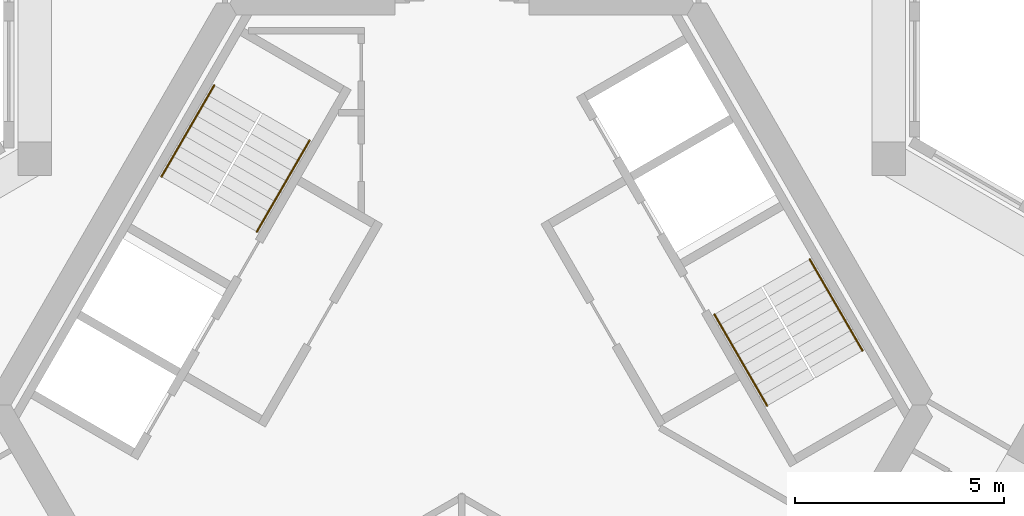
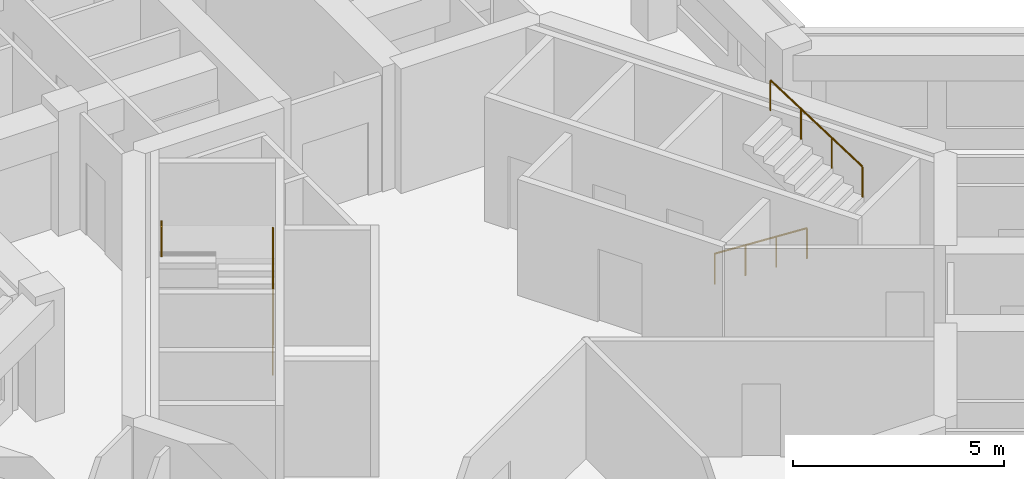
# One storey, part 14 of 14: 4 railings.
"""IFC4 building model written with IfcOpenShell, lengths in metres."""

from ifc_helpers import new_model, si_unit, direction, frame, origin, origin_2d, place, context, subcontext, project, spatial, circle, extrude, material, type_object, element, save


model = new_model("IFC4")

# Units and contexts
model_context = context("Model", 3, precision=1e-05, world=origin(), true_north=direction((0.0, 1.0)))
body_context = subcontext(model_context, "Body", "Model", "MODEL_VIEW")
ifc_project = project(units=[si_unit("LENGTHUNIT", "METRE"), si_unit("AREAUNIT", "SQUARE_METRE"), si_unit("VOLUMEUNIT", "CUBIC_METRE"), si_unit("PLANEANGLEUNIT", "RADIAN"), si_unit("MASSUNIT", "GRAM", prefix="KILO")], contexts=[model_context])

# Site, building, storey
site_placement = place(None, origin())
site = spatial("IfcSite", under=ifc_project, at=site_placement, CompositionType="ELEMENT")
building_placement = place(site_placement, origin())
building = spatial("IfcBuilding", under=site, at=building_placement, Name="Kosmar Iwan School Tower", CompositionType="ELEMENT")
storey_placement = place(building_placement, frame((0.0, 0.0, 274.60009765625)))
storey = spatial("IfcBuildingStorey", under=building, at=storey_placement, Name="L69", CompositionType="ELEMENT", Elevation=274.60009765625)

# Railings
ifc_material = material(Name="Black steel", Category="steel")
railing_type = type_object("IfcRailingType", Name="Stair handrail 900", PredefinedType="HANDRAIL", material=ifc_material)
railing_1_placement = place(storey_placement, frame((-4.89453125, 4.142333984375, 0.179931640625)))
element("IfcRailing", 1, at=railing_1_placement, inside=storey, type_object=railing_type, Name="Handrail ST2 flight 1", PredefinedType="HANDRAIL", context=body_context, shape_type="SweptSolid", body=[
    extrude(circle(Radius=0.02392578125, at=origin_2d()), frame((0.0, 0.0, 0.8759765625), z_axis=(0.42060268101, 0.72849590497, 0.54072830624), x_axis=(-0.866022637375, 0.500004791531, 0.0)), (0.0, 0.0, 1.0), 2.99560546875),
    extrude(circle(Radius=0.02099609375, at=origin_2d()), origin(), (0.0, 0.0, 1.0), 0.851806640625),
    extrude(circle(Radius=0.02099609375, at=origin_2d()), frame((0.419921875, 0.7275390625, 0.5400390625)), (0.0, 0.0, 1.0), 0.851806640625),
    extrude(circle(Radius=0.02099609375, at=origin_2d()), frame((0.840087890625, 1.454833984375, 1.079833984375)), (0.0, 0.0, 1.0), 0.851806640625),
    extrude(circle(Radius=0.02099609375, at=origin_2d()), frame((1.260009765625, 2.182373046875, 1.619873046875)), (0.0, 0.0, 1.0), 0.851806640625),
])
railing_2_placement = place(storey_placement, frame((-5.912353515625, 7.6396484375, 1.97998046875)))
element("IfcRailing", 2, at=railing_2_placement, inside=storey, type_object=railing_type, Name="Handrail ST2 flight 2", PredefinedType="HANDRAIL", context=body_context, shape_type="SweptSolid", body=[
    extrude(circle(Radius=0.02392578125, at=origin_2d()), frame((0.0, 0.0, 0.8759765625), z_axis=(-0.42060268101, -0.72849590497, 0.54072830624), x_axis=(0.866022637375, -0.500004791531, 0.0)), (0.0, 0.0, 1.0), 2.99560546875),
    extrude(circle(Radius=0.02099609375, at=origin_2d()), origin(), (0.0, 0.0, 1.0), 0.851806640625),
    extrude(circle(Radius=0.02099609375, at=origin_2d()), frame((-0.419921875, -0.7275390625, 0.5400390625)), (0.0, 0.0, 1.0), 0.851806640625),
    extrude(circle(Radius=0.02099609375, at=origin_2d()), frame((-0.840087890625, -1.454833984375, 1.079833984375)), (0.0, 0.0, 1.0), 0.851806640625),
    extrude(circle(Radius=0.02099609375, at=origin_2d()), frame((-1.260009765625, -2.182373046875, 1.619873046875)), (0.0, 0.0, 1.0), 0.851806640625),
])
railing_3_placement = place(storey_placement, frame((6.03466796875, 2.167724609375, 0.179931640625)))
element("IfcRailing", 3, at=railing_3_placement, inside=storey, type_object=railing_type, Name="Handrail ST1 flight 1", PredefinedType="HANDRAIL", context=body_context, shape_type="SweptSolid", body=[
    extrude(circle(Radius=0.02392578125, at=origin_2d()), frame((0.0, 0.0, 0.8759765625), z_axis=(0.42060268101, -0.72849590497, 0.54072830624), x_axis=(0.866022637375, 0.500004791531, 0.0)), (0.0, 0.0, 1.0), 2.99560546875),
    extrude(circle(Radius=0.02099609375, at=origin_2d()), origin(), (0.0, 0.0, 1.0), 0.851806640625),
    extrude(circle(Radius=0.02099609375, at=origin_2d()), frame((0.419921875, -0.7275390625, 0.5400390625)), (0.0, 0.0, 1.0), 0.851806640625),
    extrude(circle(Radius=0.02099609375, at=origin_2d()), frame((0.840087890625, -1.454833984375, 1.079833984375)), (0.0, 0.0, 1.0), 0.851806640625),
    extrude(circle(Radius=0.02099609375, at=origin_2d()), frame((1.260009765625, -2.182373046875, 1.619873046875)), (0.0, 0.0, 1.0), 0.851806640625),
])
railing_4_placement = place(storey_placement, frame((9.572265625, 1.30029296875, 1.97998046875)))
element("IfcRailing", 4, at=railing_4_placement, inside=storey, type_object=railing_type, Name="Handrail ST1 flight 2", PredefinedType="HANDRAIL", context=body_context, shape_type="SweptSolid", body=[
    extrude(circle(Radius=0.02392578125, at=origin_2d()), frame((0.0, 0.0, 0.8759765625), z_axis=(-0.42060268101, 0.72849590497, 0.54072830624), x_axis=(-0.866022637375, -0.500004791531, 0.0)), (0.0, 0.0, 1.0), 2.99560546875),
    extrude(circle(Radius=0.02099609375, at=origin_2d()), origin(), (0.0, 0.0, 1.0), 0.851806640625),
    extrude(circle(Radius=0.02099609375, at=origin_2d()), frame((-0.419921875, 0.7275390625, 0.5400390625)), (0.0, 0.0, 1.0), 0.851806640625),
    extrude(circle(Radius=0.02099609375, at=origin_2d()), frame((-0.840087890625, 1.454833984375, 1.079833984375)), (0.0, 0.0, 1.0), 0.851806640625),
    extrude(circle(Radius=0.02099609375, at=origin_2d()), frame((-1.260009765625, 2.182373046875, 1.619873046875)), (0.0, 0.0, 1.0), 0.851806640625),
])

save(model, "model.ifc")
